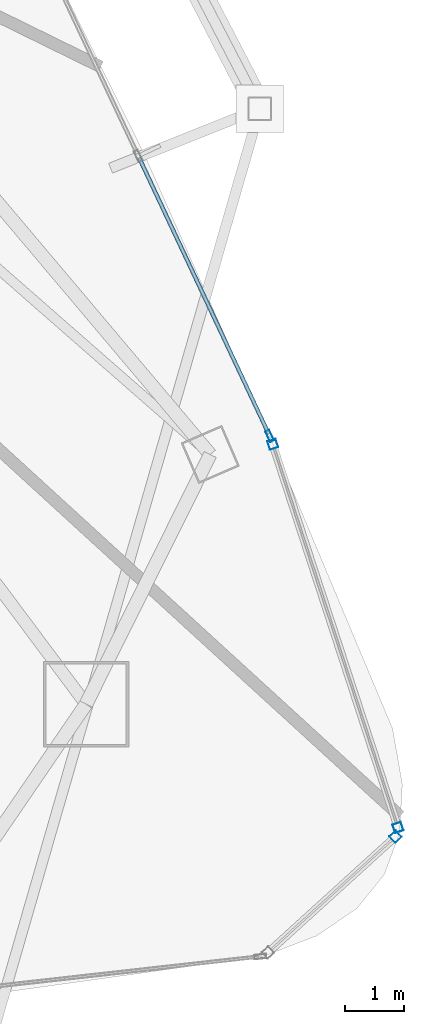
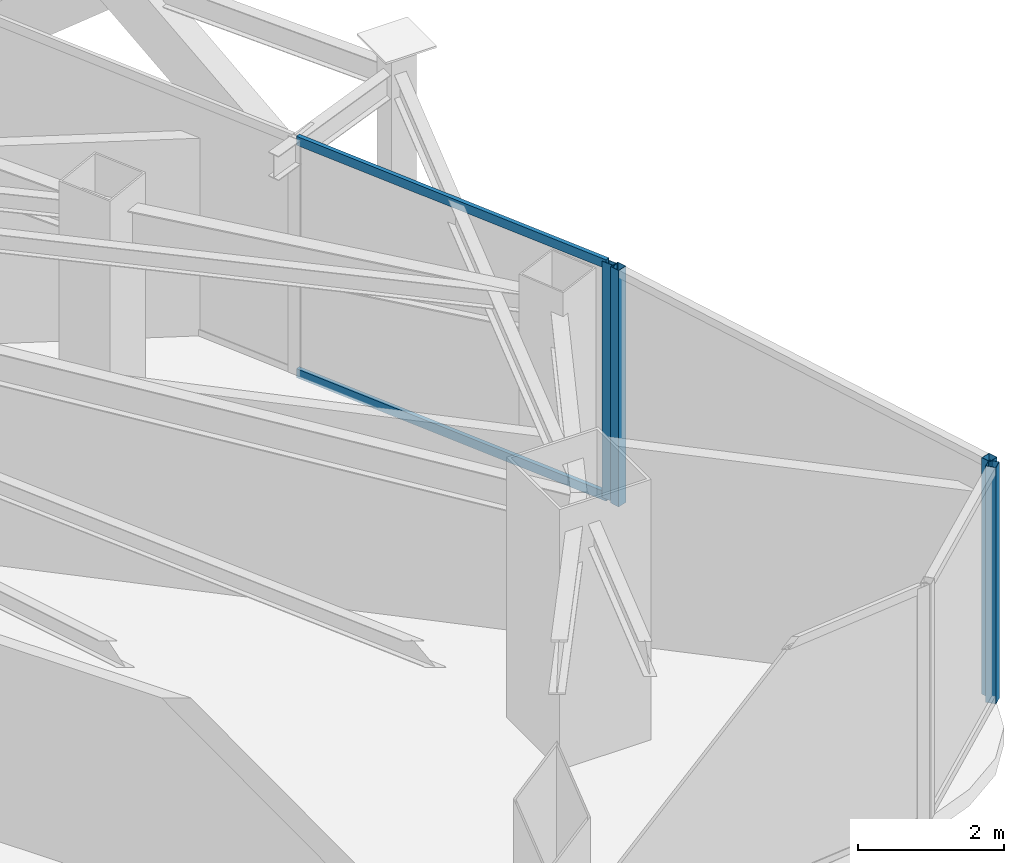
# One storey, part 14 of 27: 6 members, 3 elements without a shape of their own.
"""IFC4 building model written with IfcOpenShell, lengths in metres."""

from ifc_helpers import new_model, si_unit, direction, frame, origin, origin_2d, place, context, subcontext, project, spatial, hollow_rectangle, extrude, material, layer, layer_set, material_profile, profile_set, type_object, element, aggregate, save


model = new_model("IFC4")

# Units and contexts
model_context = context("Model", 3, precision=1e-05, world=origin(), true_north=direction((0.0, 1.0)))
body_context = subcontext(model_context, "Body", "Model", "MODEL_VIEW")
ifc_project = project(units=[si_unit("LENGTHUNIT", "METRE"), si_unit("AREAUNIT", "SQUARE_METRE"), si_unit("VOLUMEUNIT", "CUBIC_METRE"), si_unit("PLANEANGLEUNIT", "RADIAN"), si_unit("MASSUNIT", "GRAM", prefix="KILO")], contexts=[model_context])

# Site, building, storey
site_placement = place(None, origin())
site = spatial("IfcSite", under=ifc_project, at=site_placement, CompositionType="ELEMENT")
building_placement = place(site_placement, origin())
building = spatial("IfcBuilding", under=site, at=building_placement, Name="Orvanel Arch Residences", CompositionType="ELEMENT")
storey_placement = place(building_placement, frame((0.0, 0.0, 186.949951171875)))
storey = spatial("IfcBuildingStorey", under=building, at=storey_placement, Name="L53", CompositionType="ELEMENT", Elevation=186.949951171875)

# Curtain wall, member
ifc_material = material(Name="Bronze-anodised aluminium AA6063-T6", Category="aluminium")
ifc_layer_1 = layer(ifc_material, 0.18994140625)
ifc_layer_set_1 = layer_set([ifc_layer_1], Name="Bronze-anodised aluminium AA6063-T6")
curtain_wall_type_1 = type_object("IfcCurtainWallType", Name="CW5-CRN-SYS", PredefinedType="NOTDEFINED", material=ifc_layer_set_1)
curtain_wall_1_placement = place(storey_placement, origin())
curtain_wall_1 = element("IfcCurtainWall", 1, at=curtain_wall_1_placement, inside=storey, type_object=curtain_wall_type_1, Name="L53 CW5-CRN-SYS Unitised Curtain Wall", PredefinedType="NOTDEFINED")
ifc_material_profile_1 = material_profile(ifc_material, hollow_rectangle(XDim=0.14990234375, YDim=0.14990234375, WallThickness=0.0048828125, at=origin_2d()), Name="ALU150x150x5")
ifc_profile_set_1 = profile_set([ifc_material_profile_1], Name="Bronze-anodised aluminium AA6063-T6")
member_type_1 = type_object("IfcMemberType", Name="MUL-150x150", PredefinedType="MULLION", material=ifc_profile_set_1)
member_1_placement = place(storey_placement, frame((57.04443359375, 8.106689453125, 0.0), z_axis=(0.0, 0.0, 1.0), x_axis=(-0.67239695897, 0.74019073864, 0.0)))
member_1 = element("IfcMember", 2, at=member_1_placement, type_object=member_type_1, Name="CW-S5 mullion 2", PredefinedType="MULLION", context=body_context, shape_type="SweptSolid", body=[
    extrude(hollow_rectangle(XDim=0.14990234375, YDim=0.14990234375, WallThickness=0.0048828125, at=origin_2d()), origin(), (0.0, 0.0, 1.0), 3.949951171875),
])
aggregate(curtain_wall_1, [member_1])

# Curtain wall, members
curtain_wall_2_placement = place(storey_placement, origin())
curtain_wall_2 = element("IfcCurtainWall", 3, at=curtain_wall_2_placement, inside=storey, type_object=curtain_wall_type_1, Name="L53 CW5-CRN-SYS Unitised Curtain Wall", PredefinedType="NOTDEFINED")
member_2_placement = place(storey_placement, frame((57.085693359375, 8.26025390625, 0.0), z_axis=(0.0, 0.0, 1.0), x_axis=(-0.950585611582, -0.310462550161, 0.0)))
member_2 = element("IfcMember", 4, at=member_2_placement, type_object=member_type_1, Name="CW-S5 mullion 1", PredefinedType="MULLION", context=body_context, shape_type="SweptSolid", body=[
    extrude(hollow_rectangle(XDim=0.14990234375, YDim=0.14990234375, WallThickness=0.0048828125, at=origin_2d()), origin(), (0.0, 0.0, 1.0), 3.949951171875),
])
member_3_placement = place(storey_placement, frame((54.96533203125, 14.752685546875, 0.0), z_axis=(0.0, 0.0, 1.0), x_axis=(-0.950585611582, -0.310462550161, 0.0)))
member_3 = element("IfcMember", 5, at=member_3_placement, type_object=member_type_1, Name="CW-S5 mullion 2", PredefinedType="MULLION", context=body_context, shape_type="SweptSolid", body=[
    extrude(hollow_rectangle(XDim=0.14990234375, YDim=0.14990234375, WallThickness=0.0048828125, at=origin_2d()), origin(), (0.0, 0.0, 1.0), 3.949951171875),
])
aggregate(curtain_wall_2, [member_2, member_3])

ifc_layer_2 = layer(ifc_material, 0.195068359375)
ifc_layer_set_2 = layer_set([ifc_layer_2], Name="Bronze-anodised aluminium AA6063-T6")
curtain_wall_type_2 = type_object("IfcCurtainWallType", Name="CW6-COM-SYS", PredefinedType="NOTDEFINED", material=ifc_layer_set_2)
curtain_wall_3_placement = place(storey_placement, origin())
curtain_wall_3 = element("IfcCurtainWall", 6, at=curtain_wall_3_placement, inside=storey, type_object=curtain_wall_type_2, Name="L53 CW6-COM-SYS Unitised Curtain Wall", PredefinedType="NOTDEFINED")
ifc_material_profile_2 = material_profile(ifc_material, hollow_rectangle(XDim=0.074951171875, YDim=0.199951171875, WallThickness=0.0048828125, at=origin_2d()), Name="ALU200x75x5")
ifc_profile_set_2 = profile_set([ifc_material_profile_2], Name="Bronze-anodised aluminium AA6063-T6")
member_type_2 = type_object("IfcMemberType", Name="MUL-200x75", PredefinedType="MULLION", material=ifc_profile_set_2)
member_4_placement = place(storey_placement, frame((54.912109375, 14.89501953125, 0.0), z_axis=(0.0, 0.0, 1.0), x_axis=(-0.905219837006, -0.424943580596, 0.0)))
member_4 = element("IfcMember", 7, at=member_4_placement, type_object=member_type_2, Name="CW-S6 mullion 1", PredefinedType="MULLION", context=body_context, shape_type="SweptSolid", body=[
    extrude(hollow_rectangle(XDim=0.074951171875, YDim=0.199951171875, WallThickness=0.0048828125, at=origin_2d()), origin(), (0.0, 0.0, 1.0), 3.949951171875),
])
ifc_material_profile_3 = material_profile(ifc_material, hollow_rectangle(XDim=0.06494140625, YDim=0.14990234375, WallThickness=0.00390625, at=origin_2d()), Name="ALU150x65x4")
ifc_profile_set_3 = profile_set([ifc_material_profile_3], Name="Bronze-anodised aluminium AA6063-T6")
member_type_3 = type_object("IfcMemberType", Name="TRN-150x65", PredefinedType="USERDEFINED", material=ifc_profile_set_3)
member_5_placement = place(storey_placement, frame((54.896240234375, 14.928955078125, 0.032470703125), z_axis=(-0.424972751625, 0.905206142476, 0.0), x_axis=(-0.905206142476, -0.424972751625, 0.0)))
member_5 = element("IfcMember", 8, at=member_5_placement, type_object=member_type_3, Name="CW-S6 transom 1.1", ObjectType="TRANSOM", PredefinedType="USERDEFINED", context=body_context, shape_type="SweptSolid", body=[
    extrude(hollow_rectangle(XDim=0.06494140625, YDim=0.14990234375, WallThickness=0.00390625, at=origin_2d()), origin(), (0.0, 0.0, 1.0), 5.16455078125),
])
member_6_placement = place(storey_placement, frame((54.896240234375, 14.928955078125, 3.91748046875), z_axis=(-0.424972751625, 0.905206142476, 0.0), x_axis=(-0.905206142476, -0.424972751625, 0.0)))
member_6 = element("IfcMember", 9, at=member_6_placement, type_object=member_type_3, Name="CW-S6 transom 1.2", ObjectType="TRANSOM", PredefinedType="USERDEFINED", context=body_context, shape_type="SweptSolid", body=[
    extrude(hollow_rectangle(XDim=0.06494140625, YDim=0.14990234375, WallThickness=0.00390625, at=origin_2d()), origin(), (0.0, 0.0, 1.0), 5.16455078125),
])
aggregate(curtain_wall_3, [member_4, member_5, member_6])

save(model, "model.ifc")
